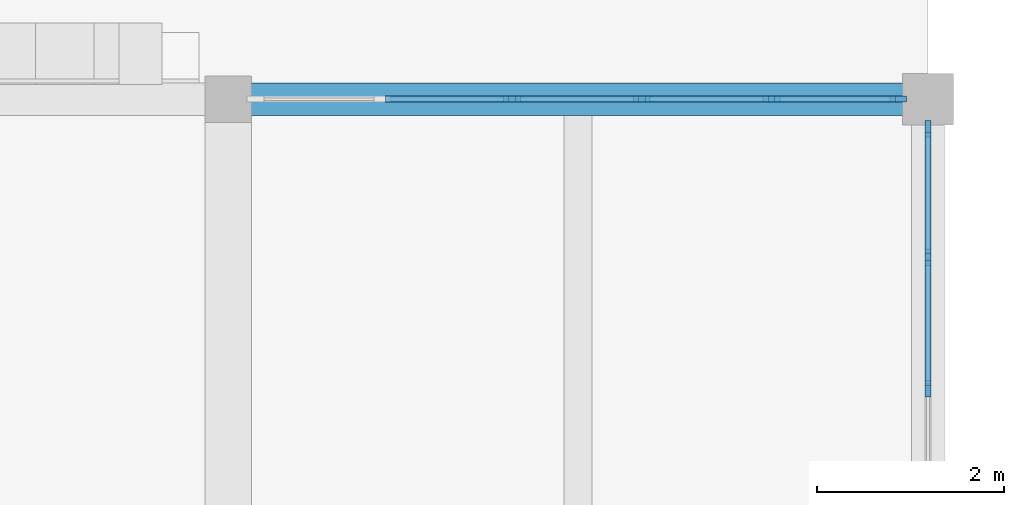
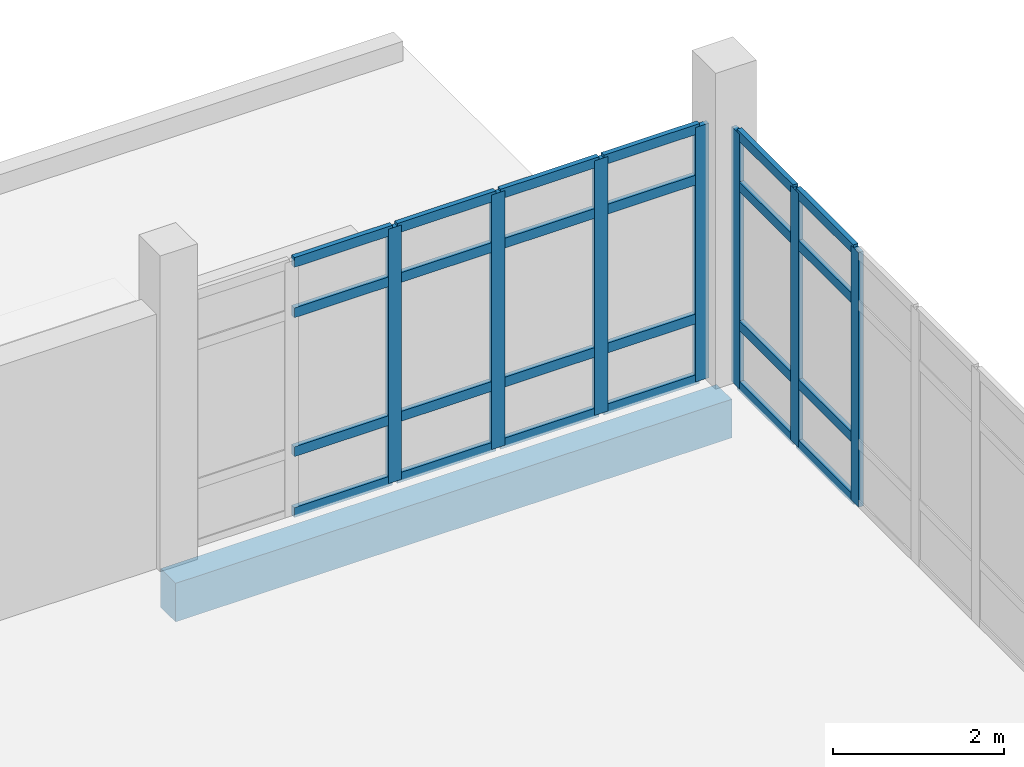
# One storey, part 69 of 128: 31 members, 1 beam, 2 elements without a shape of their own.
"""IFC4 building model written with IfcOpenShell, lengths in metres."""

from ifc_helpers import new_model, si_unit, direction, frame, origin, origin_2d, place, context, subcontext, project, spatial, rectangle, extrude, material, layer, layer_set, material_profile, profile_set, type_object, element, aggregate, save


model = new_model("IFC4")

# Units and contexts
model_context = context("Model", 3, precision=1e-05, world=origin(), true_north=direction((0.0, 1.0)))
body_context = subcontext(model_context, "Body", "Model", "MODEL_VIEW")
ifc_project = project(units=[si_unit("LENGTHUNIT", "METRE"), si_unit("AREAUNIT", "SQUARE_METRE"), si_unit("VOLUMEUNIT", "CUBIC_METRE"), si_unit("PLANEANGLEUNIT", "RADIAN"), si_unit("MASSUNIT", "GRAM", prefix="KILO")], contexts=[model_context])

# Site, building, storey
site_placement = place(None, origin())
site = spatial("IfcSite", under=ifc_project, at=site_placement, CompositionType="ELEMENT")
building_placement = place(site_placement, origin())
building = spatial("IfcBuilding", under=site, at=building_placement, Name="Dalvernix Boulevard General Hospital", CompositionType="ELEMENT")
storey_placement = place(building_placement, frame((0.0, 0.0, 4.800048828125)))
storey = spatial("IfcBuildingStorey", under=building, at=storey_placement, Name="L01", CompositionType="ELEMENT", Elevation=4.800048828125)

# Beam
ifc_material_1 = material(Name="Concrete C35/45", Category="concrete")
ifc_material_profile_1 = material_profile(ifc_material_1, rectangle(XDim=0.35009765625, YDim=0.550048828125, at=origin_2d()), Name="RCB 350x550")
ifc_profile_set_1 = profile_set([ifc_material_profile_1], Name="Concrete C35/45")
beam_type = type_object("IfcBeamType", Name="BM-SB-01-E", PredefinedType="SPANDREL", material=ifc_profile_set_1)
beam_placement = place(storey_placement, frame((165.0, 85.5, -0.574951171875), z_axis=(1.0, 0.0, 0.0), x_axis=(0.0, 1.0, 0.0)))
element("IfcBeam", 1, at=beam_placement, inside=storey, type_object=beam_type, Name="L01 E-W girder M:23-24", PredefinedType="SPANDREL", context=body_context, shape_type="SweptSolid", body=[
    extrude(rectangle(XDim=0.35009765625, YDim=0.550048828125, at=origin_2d()), origin(), (0.0, 0.0, 1.0), 7.5),
])

# Curtain wall, members
ifc_material_2 = material(Name="Thermally broken aluminium and solar-control glass curtain wall", Category="aluminium")
ifc_layer_1 = layer(ifc_material_2, 0.179931640625)
ifc_layer_set_1 = layer_set([ifc_layer_1], Name="Thermally broken aluminium and solar-control glass curtain wall (CW-CW-B-70x36)")
curtain_wall_type_1 = type_object("IfcCurtainWallType", Name="CW-CW-B-70x36", PredefinedType="USERDEFINED", material=ifc_layer_set_1)
curtain_wall_1_placement = place(storey_placement, origin())
curtain_wall_1 = element("IfcCurtainWall", 2, at=curtain_wall_1_placement, inside=storey, type_object=curtain_wall_type_1, Name="L01 curtain wall CW-B-70x36 22-11", ObjectType="GLAZED FACADE", PredefinedType="USERDEFINED")
ifc_material_3 = material(Name="Aluminium EN AW-6060", Category="aluminium")
ifc_material_profile_2 = material_profile(ifc_material_3, rectangle(XDim=0.06494140625, YDim=0.179931640625, at=origin_2d()), Name="ALU MULL 65x180")
ifc_profile_set_2 = profile_set([ifc_material_profile_2], Name="Aluminium EN AW-6060")
member_type_1 = type_object("IfcMemberType", Name="MEM-CW-M2", PredefinedType="MULLION", material=ifc_profile_set_2)
member_1_placement = place(storey_placement, frame((168.0419921875, 85.5, 0.0), z_axis=(0.0, 0.0, 1.0), x_axis=(0.0, 1.0, 0.0)))
member_1 = element("IfcMember", 3, at=member_1_placement, type_object=member_type_1, Name="CW-B-70x36 mullion 3", PredefinedType="MULLION", context=body_context, shape_type="SweptSolid", body=[
    extrude(rectangle(XDim=0.06494140625, YDim=0.179931640625, at=origin_2d()), origin(), (0.0, 0.0, 1.0), 3.6298828125),
])
member_2_placement = place(storey_placement, frame((169.43310546875, 85.5, 0.0), z_axis=(0.0, 0.0, 1.0), x_axis=(0.0, 1.0, 0.0)))
member_2 = element("IfcMember", 4, at=member_2_placement, type_object=member_type_1, Name="CW-B-70x36 mullion 4", PredefinedType="MULLION", context=body_context, shape_type="SweptSolid", body=[
    extrude(rectangle(XDim=0.06494140625, YDim=0.179931640625, at=origin_2d()), origin(), (0.0, 0.0, 1.0), 3.6298828125),
])
member_3_placement = place(storey_placement, frame((170.823974609375, 85.5, 0.0), z_axis=(0.0, 0.0, 1.0), x_axis=(0.0, 1.0, 0.0)))
member_3 = element("IfcMember", 5, at=member_3_placement, type_object=member_type_1, Name="CW-B-70x36 mullion 5", PredefinedType="MULLION", context=body_context, shape_type="SweptSolid", body=[
    extrude(rectangle(XDim=0.06494140625, YDim=0.179931640625, at=origin_2d()), origin(), (0.0, 0.0, 1.0), 3.6298828125),
])
member_4_placement = place(storey_placement, frame((172.1826171875, 85.5, 0.0), z_axis=(0.0, 0.0, 1.0), x_axis=(0.0, 1.0, 0.0)))
member_4 = element("IfcMember", 6, at=member_4_placement, type_object=member_type_1, Name="CW-B-70x36 mullion 6", PredefinedType="MULLION", context=body_context, shape_type="SweptSolid", body=[
    extrude(rectangle(XDim=0.06494140625, YDim=0.179931640625, at=origin_2d()), origin(), (0.0, 0.0, 1.0), 3.6298828125),
])

ifc_layer_2 = layer(ifc_material_2, 0.179931640625)
ifc_layer_set_2 = layer_set([ifc_layer_2], Name="Thermally broken aluminium and solar-control glass curtain wall (CW-CW-B-85x36)")
curtain_wall_type_2 = type_object("IfcCurtainWallType", Name="CW-CW-B-85x36", PredefinedType="USERDEFINED", material=ifc_layer_set_2)
curtain_wall_2_placement = place(storey_placement, origin())
curtain_wall_2 = element("IfcCurtainWall", 7, at=curtain_wall_2_placement, inside=storey, type_object=curtain_wall_type_2, Name="L01 curtain wall CW-B-85x36 23-10", ObjectType="GLAZED FACADE", PredefinedType="USERDEFINED")
member_5_placement = place(storey_placement, frame((172.5, 85.1826171875, 0.0), z_axis=(0.0, 0.0, 1.0), x_axis=(1.0, 0.0, 0.0)))
member_5 = element("IfcMember", 8, at=member_5_placement, type_object=member_type_1, Name="CW-B-85x36 mullion 1", PredefinedType="MULLION", context=body_context, shape_type="SweptSolid", body=[
    extrude(rectangle(XDim=0.06494140625, YDim=0.179931640625, at=origin_2d()), origin(), (0.0, 0.0, 1.0), 3.6298828125),
])
member_6_placement = place(storey_placement, frame((172.5, 83.805908203125, 0.0), z_axis=(0.0, 0.0, 1.0), x_axis=(1.0, 0.0, 0.0)))
member_6 = element("IfcMember", 9, at=member_6_placement, type_object=member_type_1, Name="CW-B-85x36 mullion 2", PredefinedType="MULLION", context=body_context, shape_type="SweptSolid", body=[
    extrude(rectangle(XDim=0.06494140625, YDim=0.179931640625, at=origin_2d()), origin(), (0.0, 0.0, 1.0), 3.6298828125),
])
member_7_placement = place(storey_placement, frame((172.5, 82.396728515625, 0.0), z_axis=(0.0, 0.0, 1.0), x_axis=(1.0, 0.0, 0.0)))
member_7 = element("IfcMember", 10, at=member_7_placement, type_object=member_type_1, Name="CW-B-85x36 mullion 3", PredefinedType="MULLION", context=body_context, shape_type="SweptSolid", body=[
    extrude(rectangle(XDim=0.06494140625, YDim=0.179931640625, at=origin_2d()), origin(), (0.0, 0.0, 1.0), 3.6298828125),
])

# Member
ifc_material_profile_3 = material_profile(ifc_material_3, rectangle(XDim=0.06494140625, YDim=0.139892578125, at=origin_2d()), Name="ALU TRAN 65x140")
ifc_profile_set_3 = profile_set([ifc_material_profile_3], Name="Aluminium EN AW-6060")
member_type_2 = type_object("IfcMemberType", Name="MEM-CW-T2", PredefinedType="USERDEFINED", material=ifc_profile_set_3)
member_8_placement = place(storey_placement, frame((166.68359375, 85.5, 0.032470703125), z_axis=(1.0, 0.0, 0.0), x_axis=(0.0, 1.0, 0.0)))
member_8 = element("IfcMember", 11, at=member_8_placement, type_object=member_type_2, Name="CW-B-70x36 transom 2.1", ObjectType="TRANSOM", PredefinedType="USERDEFINED", context=body_context, shape_type="SweptSolid", body=[
    extrude(rectangle(XDim=0.06494140625, YDim=0.139892578125, at=origin_2d()), origin(), (0.0, 0.0, 1.0), 1.325927734375),
])

member_9_placement = place(storey_placement, frame((166.68359375, 85.5, 0.89990234375), z_axis=(1.0, 0.0, 0.0), x_axis=(0.0, 1.0, 0.0)))
member_9 = element("IfcMember", 12, at=member_9_placement, type_object=member_type_2, Name="CW-B-70x36 transom 2.2", ObjectType="TRANSOM", PredefinedType="USERDEFINED", context=body_context, shape_type="SweptSolid", body=[
    extrude(rectangle(XDim=0.06494140625, YDim=0.139892578125, at=origin_2d()), origin(), (0.0, 0.0, 1.0), 1.325927734375),
])

member_10_placement = place(storey_placement, frame((166.68359375, 85.5, 2.8798828125), z_axis=(1.0, 0.0, 0.0), x_axis=(0.0, 1.0, 0.0)))
member_10 = element("IfcMember", 13, at=member_10_placement, type_object=member_type_2, Name="CW-B-70x36 transom 2.3", ObjectType="TRANSOM", PredefinedType="USERDEFINED", context=body_context, shape_type="SweptSolid", body=[
    extrude(rectangle(XDim=0.06494140625, YDim=0.139892578125, at=origin_2d()), origin(), (0.0, 0.0, 1.0), 1.325927734375),
])

member_11_placement = place(storey_placement, frame((166.68359375, 85.5, 3.597412109375), z_axis=(1.0, 0.0, 0.0), x_axis=(0.0, 1.0, 0.0)))
member_11 = element("IfcMember", 14, at=member_11_placement, type_object=member_type_2, Name="CW-B-70x36 transom 2.4", ObjectType="TRANSOM", PredefinedType="USERDEFINED", context=body_context, shape_type="SweptSolid", body=[
    extrude(rectangle(XDim=0.06494140625, YDim=0.139892578125, at=origin_2d()), origin(), (0.0, 0.0, 1.0), 1.325927734375),
])

member_12_placement = place(storey_placement, frame((168.074462890625, 85.5, 0.032470703125), z_axis=(1.0, 0.0, 0.0), x_axis=(0.0, 1.0, 0.0)))
member_12 = element("IfcMember", 15, at=member_12_placement, type_object=member_type_2, Name="CW-B-70x36 transom 3.1", ObjectType="TRANSOM", PredefinedType="USERDEFINED", context=body_context, shape_type="SweptSolid", body=[
    extrude(rectangle(XDim=0.06494140625, YDim=0.139892578125, at=origin_2d()), origin(), (0.0, 0.0, 1.0), 1.325927734375),
])

member_13_placement = place(storey_placement, frame((168.074462890625, 85.5, 0.89990234375), z_axis=(1.0, 0.0, 0.0), x_axis=(0.0, 1.0, 0.0)))
member_13 = element("IfcMember", 16, at=member_13_placement, type_object=member_type_2, Name="CW-B-70x36 transom 3.2", ObjectType="TRANSOM", PredefinedType="USERDEFINED", context=body_context, shape_type="SweptSolid", body=[
    extrude(rectangle(XDim=0.06494140625, YDim=0.139892578125, at=origin_2d()), origin(), (0.0, 0.0, 1.0), 1.325927734375),
])

member_14_placement = place(storey_placement, frame((168.074462890625, 85.5, 2.8798828125), z_axis=(1.0, 0.0, 0.0), x_axis=(0.0, 1.0, 0.0)))
member_14 = element("IfcMember", 17, at=member_14_placement, type_object=member_type_2, Name="CW-B-70x36 transom 3.3", ObjectType="TRANSOM", PredefinedType="USERDEFINED", context=body_context, shape_type="SweptSolid", body=[
    extrude(rectangle(XDim=0.06494140625, YDim=0.139892578125, at=origin_2d()), origin(), (0.0, 0.0, 1.0), 1.325927734375),
])

member_15_placement = place(storey_placement, frame((168.074462890625, 85.5, 3.597412109375), z_axis=(1.0, 0.0, 0.0), x_axis=(0.0, 1.0, 0.0)))
member_15 = element("IfcMember", 18, at=member_15_placement, type_object=member_type_2, Name="CW-B-70x36 transom 3.4", ObjectType="TRANSOM", PredefinedType="USERDEFINED", context=body_context, shape_type="SweptSolid", body=[
    extrude(rectangle(XDim=0.06494140625, YDim=0.139892578125, at=origin_2d()), origin(), (0.0, 0.0, 1.0), 1.325927734375),
])

member_16_placement = place(storey_placement, frame((169.465576171875, 85.5, 0.032470703125), z_axis=(1.0, 0.0, 0.0), x_axis=(0.0, 1.0, 0.0)))
member_16 = element("IfcMember", 19, at=member_16_placement, type_object=member_type_2, Name="CW-B-70x36 transom 4.1", ObjectType="TRANSOM", PredefinedType="USERDEFINED", context=body_context, shape_type="SweptSolid", body=[
    extrude(rectangle(XDim=0.06494140625, YDim=0.139892578125, at=origin_2d()), origin(), (0.0, 0.0, 1.0), 1.325927734375),
])

member_17_placement = place(storey_placement, frame((169.465576171875, 85.5, 0.89990234375), z_axis=(1.0, 0.0, 0.0), x_axis=(0.0, 1.0, 0.0)))
member_17 = element("IfcMember", 20, at=member_17_placement, type_object=member_type_2, Name="CW-B-70x36 transom 4.2", ObjectType="TRANSOM", PredefinedType="USERDEFINED", context=body_context, shape_type="SweptSolid", body=[
    extrude(rectangle(XDim=0.06494140625, YDim=0.139892578125, at=origin_2d()), origin(), (0.0, 0.0, 1.0), 1.325927734375),
])

member_18_placement = place(storey_placement, frame((169.465576171875, 85.5, 2.8798828125), z_axis=(1.0, 0.0, 0.0), x_axis=(0.0, 1.0, 0.0)))
member_18 = element("IfcMember", 21, at=member_18_placement, type_object=member_type_2, Name="CW-B-70x36 transom 4.3", ObjectType="TRANSOM", PredefinedType="USERDEFINED", context=body_context, shape_type="SweptSolid", body=[
    extrude(rectangle(XDim=0.06494140625, YDim=0.139892578125, at=origin_2d()), origin(), (0.0, 0.0, 1.0), 1.325927734375),
])

member_19_placement = place(storey_placement, frame((169.465576171875, 85.5, 3.597412109375), z_axis=(1.0, 0.0, 0.0), x_axis=(0.0, 1.0, 0.0)))
member_19 = element("IfcMember", 22, at=member_19_placement, type_object=member_type_2, Name="CW-B-70x36 transom 4.4", ObjectType="TRANSOM", PredefinedType="USERDEFINED", context=body_context, shape_type="SweptSolid", body=[
    extrude(rectangle(XDim=0.06494140625, YDim=0.139892578125, at=origin_2d()), origin(), (0.0, 0.0, 1.0), 1.325927734375),
])

member_20_placement = place(storey_placement, frame((170.8564453125, 85.5, 0.032470703125), z_axis=(1.0, 0.0, 0.0), x_axis=(0.0, 1.0, 0.0)))
member_20 = element("IfcMember", 23, at=member_20_placement, type_object=member_type_2, Name="CW-B-70x36 transom 5.1", ObjectType="TRANSOM", PredefinedType="USERDEFINED", context=body_context, shape_type="SweptSolid", body=[
    extrude(rectangle(XDim=0.06494140625, YDim=0.139892578125, at=origin_2d()), origin(), (0.0, 0.0, 1.0), 1.29345703125),
])

member_21_placement = place(storey_placement, frame((170.8564453125, 85.5, 0.89990234375), z_axis=(1.0, 0.0, 0.0), x_axis=(0.0, 1.0, 0.0)))
member_21 = element("IfcMember", 24, at=member_21_placement, type_object=member_type_2, Name="CW-B-70x36 transom 5.2", ObjectType="TRANSOM", PredefinedType="USERDEFINED", context=body_context, shape_type="SweptSolid", body=[
    extrude(rectangle(XDim=0.06494140625, YDim=0.139892578125, at=origin_2d()), origin(), (0.0, 0.0, 1.0), 1.29345703125),
])

member_22_placement = place(storey_placement, frame((170.8564453125, 85.5, 2.8798828125), z_axis=(1.0, 0.0, 0.0), x_axis=(0.0, 1.0, 0.0)))
member_22 = element("IfcMember", 25, at=member_22_placement, type_object=member_type_2, Name="CW-B-70x36 transom 5.3", ObjectType="TRANSOM", PredefinedType="USERDEFINED", context=body_context, shape_type="SweptSolid", body=[
    extrude(rectangle(XDim=0.06494140625, YDim=0.139892578125, at=origin_2d()), origin(), (0.0, 0.0, 1.0), 1.29345703125),
])

member_23_placement = place(storey_placement, frame((170.8564453125, 85.5, 3.597412109375), z_axis=(1.0, 0.0, 0.0), x_axis=(0.0, 1.0, 0.0)))
member_23 = element("IfcMember", 26, at=member_23_placement, type_object=member_type_2, Name="CW-B-70x36 transom 5.4", ObjectType="TRANSOM", PredefinedType="USERDEFINED", context=body_context, shape_type="SweptSolid", body=[
    extrude(rectangle(XDim=0.06494140625, YDim=0.139892578125, at=origin_2d()), origin(), (0.0, 0.0, 1.0), 1.29345703125),
])

aggregate(curtain_wall_1, [member_1, member_2, member_3, member_4, member_8, member_9, member_10, member_11, member_12, member_13, member_14, member_15, member_16, member_17, member_18, member_19, member_20, member_21, member_22, member_23])

member_24_placement = place(storey_placement, frame((172.5, 85.14990234375, 0.032470703125), z_axis=(0.0, -1.0, 0.0), x_axis=(1.0, 0.0, 0.0)))
member_24 = element("IfcMember", 27, at=member_24_placement, type_object=member_type_2, Name="CW-B-85x36 transom 1.1", ObjectType="TRANSOM", PredefinedType="USERDEFINED", context=body_context, shape_type="SweptSolid", body=[
    extrude(rectangle(XDim=0.06494140625, YDim=0.139892578125, at=origin_2d()), origin(), (0.0, 0.0, 1.0), 1.3115234375),
])

member_25_placement = place(storey_placement, frame((172.5, 85.14990234375, 0.89990234375), z_axis=(0.0, -1.0, 0.0), x_axis=(1.0, 0.0, 0.0)))
member_25 = element("IfcMember", 28, at=member_25_placement, type_object=member_type_2, Name="CW-B-85x36 transom 1.2", ObjectType="TRANSOM", PredefinedType="USERDEFINED", context=body_context, shape_type="SweptSolid", body=[
    extrude(rectangle(XDim=0.06494140625, YDim=0.139892578125, at=origin_2d()), origin(), (0.0, 0.0, 1.0), 1.3115234375),
])

member_26_placement = place(storey_placement, frame((172.5, 85.14990234375, 2.8798828125), z_axis=(0.0, -1.0, 0.0), x_axis=(1.0, 0.0, 0.0)))
member_26 = element("IfcMember", 29, at=member_26_placement, type_object=member_type_2, Name="CW-B-85x36 transom 1.3", ObjectType="TRANSOM", PredefinedType="USERDEFINED", context=body_context, shape_type="SweptSolid", body=[
    extrude(rectangle(XDim=0.06494140625, YDim=0.139892578125, at=origin_2d()), origin(), (0.0, 0.0, 1.0), 1.3115234375),
])

member_27_placement = place(storey_placement, frame((172.5, 85.14990234375, 3.597412109375), z_axis=(0.0, -1.0, 0.0), x_axis=(1.0, 0.0, 0.0)))
member_27 = element("IfcMember", 30, at=member_27_placement, type_object=member_type_2, Name="CW-B-85x36 transom 1.4", ObjectType="TRANSOM", PredefinedType="USERDEFINED", context=body_context, shape_type="SweptSolid", body=[
    extrude(rectangle(XDim=0.06494140625, YDim=0.139892578125, at=origin_2d()), origin(), (0.0, 0.0, 1.0), 1.3115234375),
])

member_28_placement = place(storey_placement, frame((172.5, 83.7734375, 0.032470703125), z_axis=(0.0, -1.0, 0.0), x_axis=(1.0, 0.0, 0.0)))
member_28 = element("IfcMember", 31, at=member_28_placement, type_object=member_type_2, Name="CW-B-85x36 transom 2.1", ObjectType="TRANSOM", PredefinedType="USERDEFINED", context=body_context, shape_type="SweptSolid", body=[
    extrude(rectangle(XDim=0.06494140625, YDim=0.139892578125, at=origin_2d()), origin(), (0.0, 0.0, 1.0), 1.34423828125),
])

member_29_placement = place(storey_placement, frame((172.5, 83.7734375, 0.89990234375), z_axis=(0.0, -1.0, 0.0), x_axis=(1.0, 0.0, 0.0)))
member_29 = element("IfcMember", 32, at=member_29_placement, type_object=member_type_2, Name="CW-B-85x36 transom 2.2", ObjectType="TRANSOM", PredefinedType="USERDEFINED", context=body_context, shape_type="SweptSolid", body=[
    extrude(rectangle(XDim=0.06494140625, YDim=0.139892578125, at=origin_2d()), origin(), (0.0, 0.0, 1.0), 1.34423828125),
])

member_30_placement = place(storey_placement, frame((172.5, 83.7734375, 2.8798828125), z_axis=(0.0, -1.0, 0.0), x_axis=(1.0, 0.0, 0.0)))
member_30 = element("IfcMember", 33, at=member_30_placement, type_object=member_type_2, Name="CW-B-85x36 transom 2.3", ObjectType="TRANSOM", PredefinedType="USERDEFINED", context=body_context, shape_type="SweptSolid", body=[
    extrude(rectangle(XDim=0.06494140625, YDim=0.139892578125, at=origin_2d()), origin(), (0.0, 0.0, 1.0), 1.34423828125),
])

member_31_placement = place(storey_placement, frame((172.5, 83.7734375, 3.597412109375), z_axis=(0.0, -1.0, 0.0), x_axis=(1.0, 0.0, 0.0)))
member_31 = element("IfcMember", 34, at=member_31_placement, type_object=member_type_2, Name="CW-B-85x36 transom 2.4", ObjectType="TRANSOM", PredefinedType="USERDEFINED", context=body_context, shape_type="SweptSolid", body=[
    extrude(rectangle(XDim=0.06494140625, YDim=0.139892578125, at=origin_2d()), origin(), (0.0, 0.0, 1.0), 1.34423828125),
])

aggregate(curtain_wall_2, [member_5, member_6, member_7, member_24, member_25, member_26, member_27, member_28, member_29, member_30, member_31])

save(model, "model.ifc")
